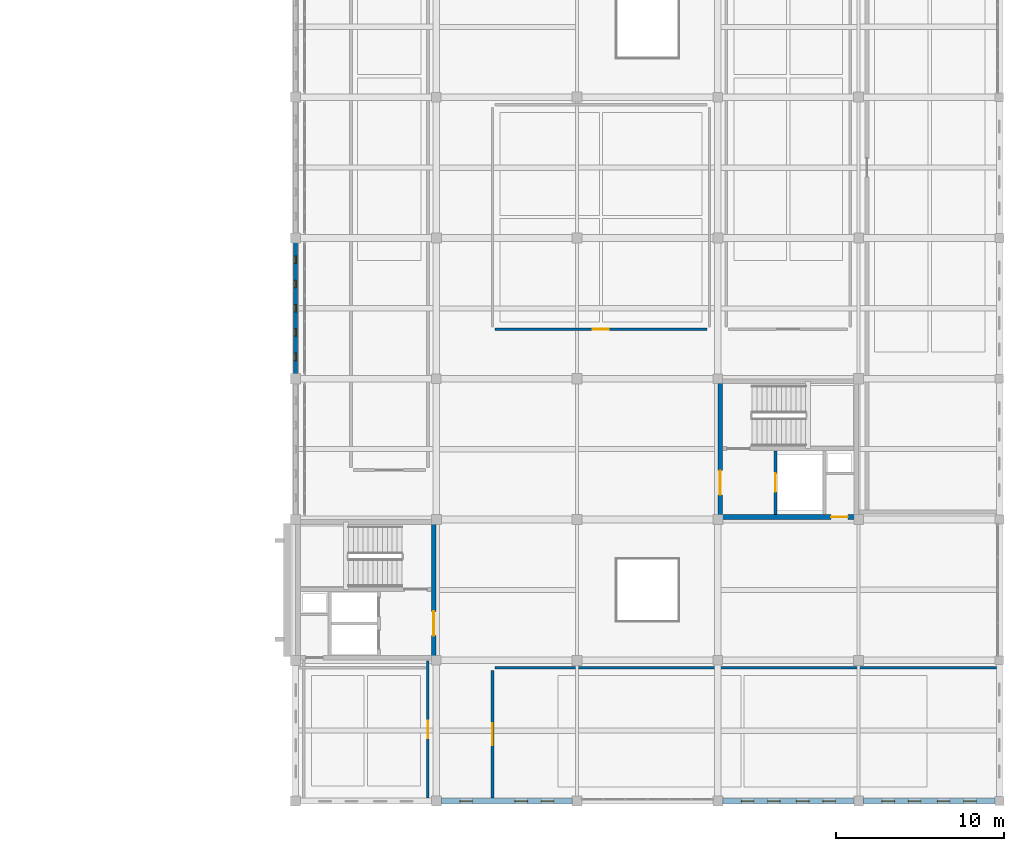
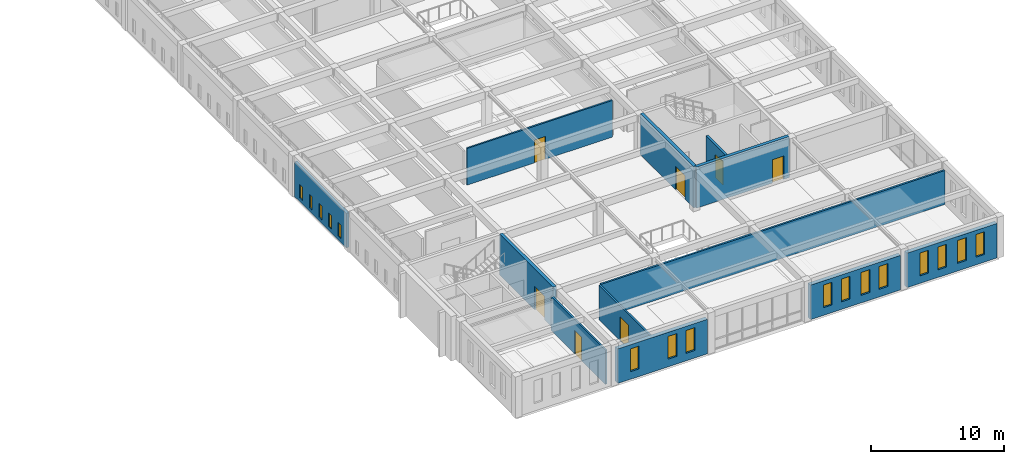
# One storey, part 43 of 56: 16 windows, 12 walls, 7 doors, 23 openings.
"""IFC4 building model written with IfcOpenShell, lengths in metres."""

from ifc_helpers import new_model, si_unit, direction, frame, frame_2d, origin, place, context, subcontext, project, spatial, rectangle, extrude, material, layer, layer_set, type_object, element, fill, save


model = new_model("IFC4")

# Units and contexts
model_context = context("Model", 3, precision=1e-05, world=origin(), true_north=direction((0.0, 1.0)))
body_context = subcontext(model_context, "Body", "Model", "MODEL_VIEW")
ifc_project = project(units=[si_unit("LENGTHUNIT", "METRE"), si_unit("AREAUNIT", "SQUARE_METRE"), si_unit("VOLUMEUNIT", "CUBIC_METRE"), si_unit("PLANEANGLEUNIT", "RADIAN"), si_unit("MASSUNIT", "GRAM", prefix="KILO")], contexts=[model_context])

# Site, building, storey
site_placement = place(None, origin())
site = spatial("IfcSite", under=ifc_project, at=site_placement, CompositionType="ELEMENT")
building_placement = place(site_placement, origin())
building = spatial("IfcBuilding", under=site, at=building_placement, Name="Kveldsbrygga Polytechnic", CompositionType="ELEMENT")
storey_placement = place(building_placement, frame((0.0, 0.0, 18.02001953125)))
storey = spatial("IfcBuildingStorey", under=building, at=storey_placement, Name="L04", CompositionType="ELEMENT", Elevation=18.02001953125)

# Wall, openings, windows
ifc_material_1 = material(Name="Fired clay brick masonry M10", Category="masonry")
ifc_layer_1 = layer(ifc_material_1, 0.360107421875)
ifc_layer_set_1 = layer_set([ifc_layer_1], Name="Fired clay brick masonry M10")
wall_type_1 = type_object("IfcWallType", Name="EW-BRICK-360", PredefinedType="SOLIDWALL", material=ifc_layer_set_1)
wall_1_placement = place(storey_placement, frame((134.68505859375, 16.800048828125, 0.0), z_axis=(0.0, 0.0, 1.0), x_axis=(1.0, 0.0, 0.0)))
wall_1 = element("IfcWall", 1, at=wall_1_placement, inside=storey, type_object=wall_type_1, Name="Exterior Brick Wall EW-L04-X-16-02", PredefinedType="SOLIDWALL", context=body_context, shape_type="SweptSolid", body=[
    extrude(rectangle(XDim=7.83984375, YDim=0.360107421875, at=frame_2d((3.919921875, 0.0))), origin(), (0.0, 0.0, 1.0), 3.179931640625),
])
opening_1_placement = place(wall_1_placement, frame((1.114501953125, 0.0, 0.699951171875)))
opening_1 = element("IfcOpeningElement", 2, at=opening_1_placement, cuts=wall_1, Name="Opening W-27", PredefinedType="OPENING", context=body_context, shape_type="SweptSolid", body=[
    extrude(rectangle(XDim=0.75, YDim=2.10009765625, at=frame_2d((0.375, 1.050048828125))), frame((0.0, 0.18994140625, 0.0), z_axis=(0.0, -1.0, 0.0), x_axis=(1.0, 0.0, 0.0)), (0.0, 0.0, 1.0), 0.380126953125),
])
opening_2_placement = place(wall_1_placement, frame((4.407470703125, 0.0, 0.699951171875)))
opening_2 = element("IfcOpeningElement", 3, at=opening_2_placement, cuts=wall_1, Name="Opening W-27", PredefinedType="OPENING", context=body_context, shape_type="SweptSolid", body=[
    extrude(rectangle(XDim=0.75, YDim=2.10009765625, at=frame_2d((0.375, 1.050048828125))), frame((0.0, 0.18994140625, 0.0), z_axis=(0.0, -1.0, 0.0), x_axis=(1.0, 0.0, 0.0)), (0.0, 0.0, 1.0), 0.380126953125),
])
opening_3_placement = place(wall_1_placement, frame((5.975341796875, 0.0, 0.699951171875)))
opening_3 = element("IfcOpeningElement", 4, at=opening_3_placement, cuts=wall_1, Name="Opening W-27", PredefinedType="OPENING", context=body_context, shape_type="SweptSolid", body=[
    extrude(rectangle(XDim=0.75, YDim=2.10009765625, at=frame_2d((0.375, 1.050048828125))), frame((0.0, 0.18994140625, 0.0), z_axis=(0.0, -1.0, 0.0), x_axis=(1.0, 0.0, 0.0)), (0.0, 0.0, 1.0), 0.380126953125),
])
ifc_material_2 = material(Name="Insulated triple low-E glass", Category="glass")
window_type_1 = type_object("IfcWindowType", Name="WN-ATTIC-075x210", PartitioningType="DOUBLE_PANEL_VERTICAL", PredefinedType="WINDOW", material=ifc_material_2)
window_1_placement = place(opening_1_placement, origin())
window_1 = element("IfcWindow", 5, at=window_1_placement, inside=storey, type_object=window_type_1, Name="Gothic Lancet Window WIN-L04-X-16-02-1", OverallHeight=2.10009765625, OverallWidth=0.75, PartitioningType="DOUBLE_PANEL_VERTICAL", PredefinedType="WINDOW", context=body_context, shape_type="SweptSolid", body=[
    extrude(rectangle(XDim=0.75, YDim=2.10009765625, at=frame_2d((0.375, 1.050048828125))), frame((0.0, 0.030029296875, 0.0), z_axis=(0.0, -1.0, 0.0), x_axis=(1.0, 0.0, 0.0)), (0.0, 0.0, 1.0), 0.06005859375),
])
fill(opening_1, window_1)
window_2_placement = place(opening_2_placement, origin())
window_2 = element("IfcWindow", 6, at=window_2_placement, inside=storey, type_object=window_type_1, Name="Gothic Lancet Window WIN-L04-X-16-02-3", OverallHeight=2.10009765625, OverallWidth=0.75, PartitioningType="DOUBLE_PANEL_VERTICAL", PredefinedType="WINDOW", context=body_context, shape_type="SweptSolid", body=[
    extrude(rectangle(XDim=0.75, YDim=2.10009765625, at=frame_2d((0.375, 1.050048828125))), frame((0.0, 0.030029296875, 0.0), z_axis=(0.0, -1.0, 0.0), x_axis=(1.0, 0.0, 0.0)), (0.0, 0.0, 1.0), 0.06005859375),
])
fill(opening_2, window_2)
window_3_placement = place(opening_3_placement, origin())
window_3 = element("IfcWindow", 7, at=window_3_placement, inside=storey, type_object=window_type_1, Name="Gothic Lancet Window WIN-L04-X-16-02-4", OverallHeight=2.10009765625, OverallWidth=0.75, PartitioningType="DOUBLE_PANEL_VERTICAL", PredefinedType="WINDOW", context=body_context, shape_type="SweptSolid", body=[
    extrude(rectangle(XDim=0.75, YDim=2.10009765625, at=frame_2d((0.375, 1.050048828125))), frame((0.0, 0.030029296875, 0.0), z_axis=(0.0, -1.0, 0.0), x_axis=(1.0, 0.0, 0.0)), (0.0, 0.0, 1.0), 0.06005859375),
])
fill(opening_3, window_3)

wall_2_placement = place(storey_placement, frame((151.485107421875, 16.800048828125, 0.0), z_axis=(0.0, 0.0, 1.0), x_axis=(1.0, 0.0, 0.0)))
wall_2 = element("IfcWall", 8, at=wall_2_placement, inside=storey, type_object=wall_type_1, Name="Exterior Brick Wall EW-L04-X-18-02", PredefinedType="SOLIDWALL", context=body_context, shape_type="SweptSolid", body=[
    extrude(rectangle(XDim=7.83984375, YDim=0.360107421875, at=frame_2d((3.919921875, 0.0))), origin(), (0.0, 0.0, 1.0), 3.179931640625),
])
opening_4_placement = place(wall_2_placement, frame((1.114501953125, 0.0, 0.699951171875)))
opening_4 = element("IfcOpeningElement", 9, at=opening_4_placement, cuts=wall_2, Name="Opening W-27", PredefinedType="OPENING", context=body_context, shape_type="SweptSolid", body=[
    extrude(rectangle(XDim=0.75, YDim=2.10009765625, at=frame_2d((0.375, 1.050048828125))), frame((0.0, 0.18994140625, 0.0), z_axis=(0.0, -1.0, 0.0), x_axis=(1.0, 0.0, 0.0)), (0.0, 0.0, 1.0), 0.380126953125),
])
opening_5_placement = place(wall_2_placement, frame((2.6826171875, 0.0, 0.699951171875)))
opening_5 = element("IfcOpeningElement", 10, at=opening_5_placement, cuts=wall_2, Name="Opening W-27", PredefinedType="OPENING", context=body_context, shape_type="SweptSolid", body=[
    extrude(rectangle(XDim=0.75, YDim=2.10009765625, at=frame_2d((0.375, 1.050048828125))), frame((0.0, 0.18994140625, 0.0), z_axis=(0.0, -1.0, 0.0), x_axis=(1.0, 0.0, 0.0)), (0.0, 0.0, 1.0), 0.380126953125),
])
opening_6_placement = place(wall_2_placement, frame((4.407470703125, 0.0, 0.699951171875)))
opening_6 = element("IfcOpeningElement", 11, at=opening_6_placement, cuts=wall_2, Name="Opening W-27", PredefinedType="OPENING", context=body_context, shape_type="SweptSolid", body=[
    extrude(rectangle(XDim=0.75, YDim=2.10009765625, at=frame_2d((0.375, 1.050048828125))), frame((0.0, 0.18994140625, 0.0), z_axis=(0.0, -1.0, 0.0), x_axis=(1.0, 0.0, 0.0)), (0.0, 0.0, 1.0), 0.380126953125),
])
opening_7_placement = place(wall_2_placement, frame((5.975341796875, 0.0, 0.699951171875)))
opening_7 = element("IfcOpeningElement", 12, at=opening_7_placement, cuts=wall_2, Name="Opening W-27", PredefinedType="OPENING", context=body_context, shape_type="SweptSolid", body=[
    extrude(rectangle(XDim=0.75, YDim=2.10009765625, at=frame_2d((0.375, 1.050048828125))), frame((0.0, 0.18994140625, 0.0), z_axis=(0.0, -1.0, 0.0), x_axis=(1.0, 0.0, 0.0)), (0.0, 0.0, 1.0), 0.380126953125),
])
window_4_placement = place(opening_4_placement, origin())
window_4 = element("IfcWindow", 13, at=window_4_placement, inside=storey, type_object=window_type_1, Name="Gothic Lancet Window WIN-L04-X-18-02-1", OverallHeight=2.10009765625, OverallWidth=0.75, PartitioningType="DOUBLE_PANEL_VERTICAL", PredefinedType="WINDOW", context=body_context, shape_type="SweptSolid", body=[
    extrude(rectangle(XDim=0.75, YDim=2.10009765625, at=frame_2d((0.375, 1.050048828125))), frame((0.0, 0.030029296875, 0.0), z_axis=(0.0, -1.0, 0.0), x_axis=(1.0, 0.0, 0.0)), (0.0, 0.0, 1.0), 0.06005859375),
])
fill(opening_4, window_4)
window_5_placement = place(opening_5_placement, origin())
window_5 = element("IfcWindow", 14, at=window_5_placement, inside=storey, type_object=window_type_1, Name="Gothic Lancet Window WIN-L04-X-18-02-2", OverallHeight=2.10009765625, OverallWidth=0.75, PartitioningType="DOUBLE_PANEL_VERTICAL", PredefinedType="WINDOW", context=body_context, shape_type="SweptSolid", body=[
    extrude(rectangle(XDim=0.75, YDim=2.10009765625, at=frame_2d((0.375, 1.050048828125))), frame((0.0, 0.030029296875, 0.0), z_axis=(0.0, -1.0, 0.0), x_axis=(1.0, 0.0, 0.0)), (0.0, 0.0, 1.0), 0.06005859375),
])
fill(opening_5, window_5)
window_6_placement = place(opening_6_placement, origin())
window_6 = element("IfcWindow", 15, at=window_6_placement, inside=storey, type_object=window_type_1, Name="Gothic Lancet Window WIN-L04-X-18-02-3", OverallHeight=2.10009765625, OverallWidth=0.75, PartitioningType="DOUBLE_PANEL_VERTICAL", PredefinedType="WINDOW", context=body_context, shape_type="SweptSolid", body=[
    extrude(rectangle(XDim=0.75, YDim=2.10009765625, at=frame_2d((0.375, 1.050048828125))), frame((0.0, 0.030029296875, 0.0), z_axis=(0.0, -1.0, 0.0), x_axis=(1.0, 0.0, 0.0)), (0.0, 0.0, 1.0), 0.06005859375),
])
fill(opening_6, window_6)
window_7_placement = place(opening_7_placement, origin())
window_7 = element("IfcWindow", 16, at=window_7_placement, inside=storey, type_object=window_type_1, Name="Gothic Lancet Window WIN-L04-X-18-02-4", OverallHeight=2.10009765625, OverallWidth=0.75, PartitioningType="DOUBLE_PANEL_VERTICAL", PredefinedType="WINDOW", context=body_context, shape_type="SweptSolid", body=[
    extrude(rectangle(XDim=0.75, YDim=2.10009765625, at=frame_2d((0.375, 1.050048828125))), frame((0.0, 0.030029296875, 0.0), z_axis=(0.0, -1.0, 0.0), x_axis=(1.0, 0.0, 0.0)), (0.0, 0.0, 1.0), 0.06005859375),
])
fill(opening_7, window_7)

wall_3_placement = place(storey_placement, frame((159.875, 16.800048828125, 0.0), z_axis=(0.0, 0.0, 1.0), x_axis=(1.0, 0.0, 0.0)))
wall_3 = element("IfcWall", 17, at=wall_3_placement, inside=storey, type_object=wall_type_1, Name="Exterior Brick Wall EW-L04-X-19-02", PredefinedType="SOLIDWALL", context=body_context, shape_type="SweptSolid", body=[
    extrude(rectangle(XDim=7.864990234375, YDim=0.360107421875, at=frame_2d((3.9326171875, 0.0))), origin(), (0.0, 0.0, 1.0), 3.179931640625),
])
opening_8_placement = place(wall_3_placement, frame((1.119384765625, 0.0, 0.699951171875)))
opening_8 = element("IfcOpeningElement", 18, at=opening_8_placement, cuts=wall_3, Name="Opening W-27", PredefinedType="OPENING", context=body_context, shape_type="SweptSolid", body=[
    extrude(rectangle(XDim=0.75, YDim=2.10009765625, at=frame_2d((0.375, 1.050048828125))), frame((0.0, 0.18994140625, 0.0), z_axis=(0.0, -1.0, 0.0), x_axis=(1.0, 0.0, 0.0)), (0.0, 0.0, 1.0), 0.380126953125),
])
opening_9_placement = place(wall_3_placement, frame((2.6923828125, 0.0, 0.699951171875)))
opening_9 = element("IfcOpeningElement", 19, at=opening_9_placement, cuts=wall_3, Name="Opening W-27", PredefinedType="OPENING", context=body_context, shape_type="SweptSolid", body=[
    extrude(rectangle(XDim=0.75, YDim=2.10009765625, at=frame_2d((0.375, 1.050048828125))), frame((0.0, 0.18994140625, 0.0), z_axis=(0.0, -1.0, 0.0), x_axis=(1.0, 0.0, 0.0)), (0.0, 0.0, 1.0), 0.380126953125),
])
opening_10_placement = place(wall_3_placement, frame((4.422607421875, 0.0, 0.699951171875)))
opening_10 = element("IfcOpeningElement", 20, at=opening_10_placement, cuts=wall_3, Name="Opening W-27", PredefinedType="OPENING", context=body_context, shape_type="SweptSolid", body=[
    extrude(rectangle(XDim=0.75, YDim=2.10009765625, at=frame_2d((0.375, 1.050048828125))), frame((0.0, 0.18994140625, 0.0), z_axis=(0.0, -1.0, 0.0), x_axis=(1.0, 0.0, 0.0)), (0.0, 0.0, 1.0), 0.380126953125),
])
opening_11_placement = place(wall_3_placement, frame((5.99560546875, 0.0, 0.699951171875)))
opening_11 = element("IfcOpeningElement", 21, at=opening_11_placement, cuts=wall_3, Name="Opening W-27", PredefinedType="OPENING", context=body_context, shape_type="SweptSolid", body=[
    extrude(rectangle(XDim=0.75, YDim=2.10009765625, at=frame_2d((0.375, 1.050048828125))), frame((0.0, 0.18994140625, 0.0), z_axis=(0.0, -1.0, 0.0), x_axis=(1.0, 0.0, 0.0)), (0.0, 0.0, 1.0), 0.380126953125),
])
window_8_placement = place(opening_8_placement, origin())
window_8 = element("IfcWindow", 22, at=window_8_placement, inside=storey, type_object=window_type_1, Name="Gothic Lancet Window WIN-L04-X-19-02-1", OverallHeight=2.10009765625, OverallWidth=0.75, PartitioningType="DOUBLE_PANEL_VERTICAL", PredefinedType="WINDOW", context=body_context, shape_type="SweptSolid", body=[
    extrude(rectangle(XDim=0.75, YDim=2.10009765625, at=frame_2d((0.375, 1.050048828125))), frame((0.0, 0.030029296875, 0.0), z_axis=(0.0, -1.0, 0.0), x_axis=(1.0, 0.0, 0.0)), (0.0, 0.0, 1.0), 0.06005859375),
])
fill(opening_8, window_8)
window_9_placement = place(opening_9_placement, origin())
window_9 = element("IfcWindow", 23, at=window_9_placement, inside=storey, type_object=window_type_1, Name="Gothic Lancet Window WIN-L04-X-19-02-2", OverallHeight=2.10009765625, OverallWidth=0.75, PartitioningType="DOUBLE_PANEL_VERTICAL", PredefinedType="WINDOW", context=body_context, shape_type="SweptSolid", body=[
    extrude(rectangle(XDim=0.75, YDim=2.10009765625, at=frame_2d((0.375, 1.050048828125))), frame((0.0, 0.030029296875, 0.0), z_axis=(0.0, -1.0, 0.0), x_axis=(1.0, 0.0, 0.0)), (0.0, 0.0, 1.0), 0.06005859375),
])
fill(opening_9, window_9)
window_10_placement = place(opening_10_placement, origin())
window_10 = element("IfcWindow", 24, at=window_10_placement, inside=storey, type_object=window_type_1, Name="Gothic Lancet Window WIN-L04-X-19-02-3", OverallHeight=2.10009765625, OverallWidth=0.75, PartitioningType="DOUBLE_PANEL_VERTICAL", PredefinedType="WINDOW", context=body_context, shape_type="SweptSolid", body=[
    extrude(rectangle(XDim=0.75, YDim=2.10009765625, at=frame_2d((0.375, 1.050048828125))), frame((0.0, 0.030029296875, 0.0), z_axis=(0.0, -1.0, 0.0), x_axis=(1.0, 0.0, 0.0)), (0.0, 0.0, 1.0), 0.06005859375),
])
fill(opening_10, window_10)
window_11_placement = place(opening_11_placement, origin())
window_11 = element("IfcWindow", 25, at=window_11_placement, inside=storey, type_object=window_type_1, Name="Gothic Lancet Window WIN-L04-X-19-02-4", OverallHeight=2.10009765625, OverallWidth=0.75, PartitioningType="DOUBLE_PANEL_VERTICAL", PredefinedType="WINDOW", context=body_context, shape_type="SweptSolid", body=[
    extrude(rectangle(XDim=0.75, YDim=2.10009765625, at=frame_2d((0.375, 1.050048828125))), frame((0.0, 0.030029296875, 0.0), z_axis=(0.0, -1.0, 0.0), x_axis=(1.0, 0.0, 0.0)), (0.0, 0.0, 1.0), 0.06005859375),
])
fill(opening_11, window_11)

ifc_layer_2 = layer(ifc_material_1, 0.239990234375)
ifc_layer_set_2 = layer_set([ifc_layer_2], Name="Fired clay brick masonry M10")
wall_type_2 = type_object("IfcWallType", Name="EW-SCRN-240", PredefinedType="SOLIDWALL", material=ifc_layer_set_2)
wall_4_placement = place(storey_placement, frame((126.0, 42.284912109375, 0.0), z_axis=(0.0, 0.0, 1.0), x_axis=(0.0, 1.0, 0.0)))
wall_4 = element("IfcWall", 26, at=wall_4_placement, inside=storey, type_object=wall_type_2, Name="Perforated Brick Corridor Screen Wall SCRW-L04-Y-15-05", PredefinedType="SOLIDWALL", context=body_context, shape_type="SweptSolid", body=[
    extrude(rectangle(XDim=7.840087890625, YDim=0.239990234375, at=frame_2d((3.919921875, 0.0))), origin(), (0.0, 0.0, 1.0), 3.179931640625),
])
opening_12_placement = place(wall_4_placement, frame((0.803955078125, 0.0, 0.35009765625)))
opening_12 = element("IfcOpeningElement", 27, at=opening_12_placement, cuts=wall_4, Name="Opening W-48", PredefinedType="OPENING", context=body_context, shape_type="SweptSolid", body=[
    extrude(rectangle(XDim=0.43994140625, YDim=1.25, at=frame_2d((0.219970703125, 0.625))), frame((0.0, 0.1298828125, 0.0), z_axis=(0.0, -1.0, 0.0), x_axis=(1.0, 0.0, 0.0)), (0.0, 0.0, 1.0), 0.260009765625),
])
opening_13_placement = place(wall_4_placement, frame((2.251953125, 0.0, 0.35009765625)))
opening_13 = element("IfcOpeningElement", 28, at=opening_13_placement, cuts=wall_4, Name="Opening W-48", PredefinedType="OPENING", context=body_context, shape_type="SweptSolid", body=[
    extrude(rectangle(XDim=0.43994140625, YDim=1.25, at=frame_2d((0.219970703125, 0.625))), frame((0.0, 0.1298828125, 0.0), z_axis=(0.0, -1.0, 0.0), x_axis=(1.0, 0.0, 0.0)), (0.0, 0.0, 1.0), 0.260009765625),
])
opening_14_placement = place(wall_4_placement, frame((3.699951171875, 0.0, 0.35009765625)))
opening_14 = element("IfcOpeningElement", 29, at=opening_14_placement, cuts=wall_4, Name="Opening W-48", PredefinedType="OPENING", context=body_context, shape_type="SweptSolid", body=[
    extrude(rectangle(XDim=0.43994140625, YDim=1.25, at=frame_2d((0.219970703125, 0.625))), frame((0.0, 0.1298828125, 0.0), z_axis=(0.0, -1.0, 0.0), x_axis=(1.0, 0.0, 0.0)), (0.0, 0.0, 1.0), 0.260009765625),
])
opening_15_placement = place(wall_4_placement, frame((5.14794921875, 0.0, 0.35009765625)))
opening_15 = element("IfcOpeningElement", 30, at=opening_15_placement, cuts=wall_4, Name="Opening W-48", PredefinedType="OPENING", context=body_context, shape_type="SweptSolid", body=[
    extrude(rectangle(XDim=0.43994140625, YDim=1.25, at=frame_2d((0.219970703125, 0.625))), frame((0.0, 0.1298828125, 0.0), z_axis=(0.0, -1.0, 0.0), x_axis=(1.0, 0.0, 0.0)), (0.0, 0.0, 1.0), 0.260009765625),
])
opening_16_placement = place(wall_4_placement, frame((6.595947265625, 0.0, 0.35009765625)))
opening_16 = element("IfcOpeningElement", 31, at=opening_16_placement, cuts=wall_4, Name="Opening W-48", PredefinedType="OPENING", context=body_context, shape_type="SweptSolid", body=[
    extrude(rectangle(XDim=0.43994140625, YDim=1.25, at=frame_2d((0.219970703125, 0.625))), frame((0.0, 0.1298828125, 0.0), z_axis=(0.0, -1.0, 0.0), x_axis=(1.0, 0.0, 0.0)), (0.0, 0.0, 1.0), 0.260009765625),
])
window_type_2 = type_object("IfcWindowType", Name="WN-SCRN-044x125", PartitioningType="SINGLE_PANEL", PredefinedType="WINDOW", material=ifc_material_2)
window_12_placement = place(opening_12_placement, origin())
window_12 = element("IfcWindow", 32, at=window_12_placement, inside=storey, type_object=window_type_2, Name="Perforated Screen Aperture L04-Y-15-05-1", OverallHeight=1.25, OverallWidth=0.43994140625, PartitioningType="SINGLE_PANEL", PredefinedType="WINDOW", context=body_context, shape_type="SweptSolid", body=[
    extrude(rectangle(XDim=0.43994140625, YDim=1.25, at=frame_2d((0.219970703125, 0.625))), frame((0.0, 0.030029296875, 0.0), z_axis=(0.0, -1.0, 0.0), x_axis=(1.0, 0.0, 0.0)), (0.0, 0.0, 1.0), 0.06005859375),
])
fill(opening_12, window_12)
window_13_placement = place(opening_13_placement, origin())
window_13 = element("IfcWindow", 33, at=window_13_placement, inside=storey, type_object=window_type_2, Name="Perforated Screen Aperture L04-Y-15-05-2", OverallHeight=1.25, OverallWidth=0.43994140625, PartitioningType="SINGLE_PANEL", PredefinedType="WINDOW", context=body_context, shape_type="SweptSolid", body=[
    extrude(rectangle(XDim=0.43994140625, YDim=1.25, at=frame_2d((0.219970703125, 0.625))), frame((0.0, 0.030029296875, 0.0), z_axis=(0.0, -1.0, 0.0), x_axis=(1.0, 0.0, 0.0)), (0.0, 0.0, 1.0), 0.06005859375),
])
fill(opening_13, window_13)
window_14_placement = place(opening_14_placement, origin())
window_14 = element("IfcWindow", 34, at=window_14_placement, inside=storey, type_object=window_type_2, Name="Perforated Screen Aperture L04-Y-15-05-3", OverallHeight=1.25, OverallWidth=0.43994140625, PartitioningType="SINGLE_PANEL", PredefinedType="WINDOW", context=body_context, shape_type="SweptSolid", body=[
    extrude(rectangle(XDim=0.43994140625, YDim=1.25, at=frame_2d((0.219970703125, 0.625))), frame((0.0, 0.030029296875, 0.0), z_axis=(0.0, -1.0, 0.0), x_axis=(1.0, 0.0, 0.0)), (0.0, 0.0, 1.0), 0.06005859375),
])
fill(opening_14, window_14)
window_15_placement = place(opening_15_placement, origin())
window_15 = element("IfcWindow", 35, at=window_15_placement, inside=storey, type_object=window_type_2, Name="Perforated Screen Aperture L04-Y-15-05-4", OverallHeight=1.25, OverallWidth=0.43994140625, PartitioningType="SINGLE_PANEL", PredefinedType="WINDOW", context=body_context, shape_type="SweptSolid", body=[
    extrude(rectangle(XDim=0.43994140625, YDim=1.25, at=frame_2d((0.219970703125, 0.625))), frame((0.0, 0.030029296875, 0.0), z_axis=(0.0, -1.0, 0.0), x_axis=(1.0, 0.0, 0.0)), (0.0, 0.0, 1.0), 0.06005859375),
])
fill(opening_15, window_15)
window_16_placement = place(opening_16_placement, origin())
window_16 = element("IfcWindow", 36, at=window_16_placement, inside=storey, type_object=window_type_2, Name="Perforated Screen Aperture L04-Y-15-05-5", OverallHeight=1.25, OverallWidth=0.43994140625, PartitioningType="SINGLE_PANEL", PredefinedType="WINDOW", context=body_context, shape_type="SweptSolid", body=[
    extrude(rectangle(XDim=0.43994140625, YDim=1.25, at=frame_2d((0.219970703125, 0.625))), frame((0.0, 0.030029296875, 0.0), z_axis=(0.0, -1.0, 0.0), x_axis=(1.0, 0.0, 0.0)), (0.0, 0.0, 1.0), 0.06005859375),
])
fill(opening_16, window_16)

# Wall, opening, door
ifc_material_3 = material(Name="Gypsum acoustic stud partition")
ifc_layer_3 = layer(ifc_material_3, 0.139892578125)
ifc_layer_set_3 = layer_set([ifc_layer_3], Name="Gypsum acoustic stud partition")
wall_type_3 = type_object("IfcWallType", Name="IW-OFF-140", PredefinedType="PARTITIONING", material=ifc_layer_set_3)
wall_5_placement = place(storey_placement, frame((137.89990234375, 44.949951171875, 0.0), z_axis=(0.0, 0.0, 1.0), x_axis=(1.0, 0.0, 0.0)))
wall_5 = element("IfcWall", 37, at=wall_5_placement, inside=storey, type_object=wall_type_3, Name="Partition Wall IW-SP-L04-OFF41-S1", PredefinedType="PARTITIONING", context=body_context, shape_type="SweptSolid", body=[
    extrude(rectangle(XDim=12.650146484375, YDim=0.139892578125, at=frame_2d((6.3251953125, 0.0))), origin(), (0.0, 0.0, 1.0), 3.3798828125),
])
opening_17_placement = place(wall_5_placement, frame((5.85009765625, 0.0, 0.0)))
opening_17 = element("IfcOpeningElement", 38, at=opening_17_placement, cuts=wall_5, Name="Opening ID-L04-088", PredefinedType="OPENING", context=body_context, shape_type="SweptSolid", body=[
    extrude(rectangle(XDim=0.949951171875, YDim=2.10009765625, at=frame_2d((0.47509765625, 1.050048828125))), frame((0.0, 0.080078125, 0.0), z_axis=(0.0, -1.0, 0.0), x_axis=(1.0, 0.0, 0.0)), (0.0, 0.0, 1.0), 0.159912109375),
])
ifc_material_4 = material(Name="Acoustic oak timber", Category="wood")
door_type_1 = type_object("IfcDoorType", Name="ID-OFF-095x210", OperationType="NOTDEFINED", PredefinedType="DOOR", material=ifc_material_4)
door_1_placement = place(opening_17_placement, origin())
door_1 = element("IfcDoor", 39, at=door_1_placement, inside=storey, type_object=door_type_1, Name="Interior Door ID-L04-088", OperationType="SINGLE_SWING_LEFT", OverallHeight=2.10009765625, OverallWidth=0.949951171875, PredefinedType="DOOR", context=body_context, shape_type="SweptSolid", body=[
    extrude(rectangle(XDim=0.949951171875, YDim=2.10009765625, at=frame_2d((0.47509765625, 1.050048828125))), frame((0.0, 0.02490234375, 0.0), z_axis=(0.0, -1.0, 0.0), x_axis=(1.0, 0.0, 0.0)), (0.0, 0.0, 1.0), 0.050048828125),
])
fill(opening_17, door_1)

ifc_layer_4 = layer(ifc_material_3, 0.14990234375)
ifc_layer_set_4 = layer_set([ifc_layer_4], Name="Gypsum acoustic stud partition")
wall_type_4 = type_object("IfcWallType", Name="IW-SEM-150", PredefinedType="PARTITIONING", material=ifc_layer_set_4)
wall_6_placement = place(storey_placement, frame((133.89990234375, 16.97998046875, 0.0), z_axis=(0.0, 0.0, 1.0), x_axis=(0.0, 1.0, 0.0)))
wall_6 = element("IfcWall", 40, at=wall_6_placement, inside=storey, type_object=wall_type_4, Name="Partition Wall IW-SP-L04-SEM42-E1", PredefinedType="PARTITIONING", context=body_context, shape_type="SweptSolid", body=[
    extrude(rectangle(XDim=8.18994140625, YDim=0.14990234375, at=frame_2d((4.094970703125, 0.0))), origin(), (0.0, 0.0, 1.0), 3.159912109375),
])
opening_18_placement = place(wall_6_placement, frame((3.570068359375, 0.0, 0.0)))
opening_18 = element("IfcOpeningElement", 41, at=opening_18_placement, cuts=wall_6, Name="Opening ID-L04-092", PredefinedType="OPENING", context=body_context, shape_type="SweptSolid", body=[
    extrude(rectangle(XDim=1.050048828125, YDim=2.14990234375, at=frame_2d((0.52490234375, 1.074951171875))), frame((0.0, 0.0849609375, 0.0), z_axis=(0.0, -1.0, 0.0), x_axis=(1.0, 0.0, 0.0)), (0.0, 0.0, 1.0), 0.169921875),
])
door_type_2 = type_object("IfcDoorType", Name="ID-SEM-105x215", OperationType="NOTDEFINED", PredefinedType="DOOR", material=ifc_material_4)
door_2_placement = place(opening_18_placement, origin())
door_2 = element("IfcDoor", 42, at=door_2_placement, inside=storey, type_object=door_type_2, Name="Interior Door ID-L04-092", OperationType="SINGLE_SWING_RIGHT", OverallHeight=2.14990234375, OverallWidth=1.050048828125, PredefinedType="DOOR", context=body_context, shape_type="SweptSolid", body=[
    extrude(rectangle(XDim=1.050048828125, YDim=2.14990234375, at=frame_2d((0.52490234375, 1.074951171875))), frame((0.0, 0.02490234375, 0.0), z_axis=(0.0, -1.0, 0.0), x_axis=(1.0, 0.0, 0.0)), (0.0, 0.0, 1.0), 0.050048828125),
])
fill(opening_18, door_2)

ifc_layer_5 = layer(ifc_material_3, 0.159912109375)
ifc_layer_set_5 = layer_set([ifc_layer_5], Name="Gypsum acoustic stud partition")
wall_type_5 = type_object("IfcWallType", Name="IW-STD-160", PredefinedType="PARTITIONING", material=ifc_layer_set_5)
wall_7_placement = place(storey_placement, frame((137.75, 16.97998046875, 0.0), z_axis=(0.0, 0.0, 1.0), x_axis=(0.0, 1.0, 0.0)))
wall_7 = element("IfcWall", 43, at=wall_7_placement, inside=storey, type_object=wall_type_5, Name="Partition Wall IW-SP-L04-STD41-W1", PredefinedType="PARTITIONING", context=body_context, shape_type="SweptSolid", body=[
    extrude(rectangle(XDim=7.6201171875, YDim=0.159912109375, at=frame_2d((3.81005859375, 0.0))), origin(), (0.0, 0.0, 1.0), 3.179931640625),
])
opening_19_placement = place(wall_7_placement, frame((3.159912109375, 0.0, 0.0)))
opening_19 = element("IfcOpeningElement", 44, at=opening_19_placement, cuts=wall_7, Name="Opening ID-L04-083", PredefinedType="OPENING", context=body_context, shape_type="SweptSolid", body=[
    extrude(rectangle(XDim=1.300048828125, YDim=2.199951171875, at=frame_2d((0.64990234375, 1.10009765625))), frame((0.0, 0.08984375, 0.0), z_axis=(0.0, -1.0, 0.0), x_axis=(1.0, 0.0, 0.0)), (0.0, 0.0, 1.0), 0.179931640625),
])
door_type_3 = type_object("IfcDoorType", Name="ID-STD-130x220", OperationType="NOTDEFINED", PredefinedType="DOOR", material=ifc_material_4)
door_3_placement = place(opening_19_placement, origin())
door_3 = element("IfcDoor", 45, at=door_3_placement, inside=storey, type_object=door_type_3, Name="Interior Door ID-L04-083", OperationType="SINGLE_SWING_LEFT", OverallHeight=2.199951171875, OverallWidth=1.300048828125, PredefinedType="DOOR", context=body_context, shape_type="SweptSolid", body=[
    extrude(rectangle(XDim=1.300048828125, YDim=2.199951171875, at=frame_2d((0.64990234375, 1.10009765625))), frame((0.0, 0.02490234375, 0.0), z_axis=(0.0, -1.0, 0.0), x_axis=(1.0, 0.0, 0.0)), (0.0, 0.0, 1.0), 0.050048828125),
])
fill(opening_19, door_3)

# Wall
wall_8_placement = place(storey_placement, frame((137.89990234375, 24.75, 0.0), z_axis=(0.0, 0.0, 1.0), x_axis=(1.0, 0.0, 0.0)))
element("IfcWall", 46, at=wall_8_placement, inside=storey, type_object=wall_type_5, Name="Partition Wall IW-SP-L04-STD41-N1", PredefinedType="PARTITIONING", context=body_context, shape_type="SweptSolid", body=[
    extrude(rectangle(XDim=29.920166015625, YDim=0.159912109375, at=frame_2d((14.9599609375, 0.0))), origin(), (0.0, 0.0, 1.0), 3.1298828125),
])

# Wall, opening, door
ifc_material_5 = material(Name="Concrete C45/55", Category="concrete")
ifc_layer_6 = layer(ifc_material_5, 0.280029296875)
ifc_layer_set_6 = layer_set([ifc_layer_6], Name="Concrete C45/55")
wall_type_6 = type_object("IfcWallType", Name="WL-CORE-280", PredefinedType="SHEAR", material=ifc_layer_set_6)
wall_9_placement = place(storey_placement, frame((134.25, 25.35009765625, 0.0), z_axis=(0.0, 0.0, 1.0), x_axis=(0.0, 1.0, 0.0)))
wall_9 = element("IfcWall", 47, at=wall_9_placement, inside=storey, type_object=wall_type_6, Name="Core C1 Shear Wall C1-L04-SW-E", PredefinedType="SHEAR", context=body_context, shape_type="SweptSolid", body=[
    extrude(rectangle(XDim=8.099853515625, YDim=0.280029296875, at=frame_2d((4.0498046875, 0.0))), origin(), (0.0, 0.0, 1.0), 3.780029296875),
])
opening_20_placement = place(wall_9_placement, frame((1.324951171875, 0.0, 0.0)))
opening_20 = element("IfcOpeningElement", 48, at=opening_20_placement, cuts=wall_9, Name="Opening FD-C1-L04-LOB", PredefinedType="OPENING", context=body_context, shape_type="SweptSolid", body=[
    extrude(rectangle(XDim=1.449951171875, YDim=2.14990234375, at=frame_2d((0.72509765625, 1.074951171875))), frame((0.0, 0.14990234375, 0.0), z_axis=(0.0, -1.0, 0.0), x_axis=(1.0, 0.0, 0.0)), (0.0, 0.0, 1.0), 0.300048828125),
])
ifc_material_6 = material(Name="Powder-coated galvanised steel", Category="steel")
door_type_4 = type_object("IfcDoorType", Name="ID-LOBBY-145x215", OperationType="DOUBLE_DOOR_SINGLE_SWING", PredefinedType="DOOR", material=ifc_material_6)
door_4_placement = place(opening_20_placement, origin())
door_4 = element("IfcDoor", 49, at=door_4_placement, inside=storey, type_object=door_type_4, Name="Core Lobby Fire Door FD-C1-L04-LOB", OperationType="DOUBLE_DOOR_SINGLE_SWING", OverallHeight=2.14990234375, OverallWidth=1.449951171875, PredefinedType="DOOR", context=body_context, shape_type="SweptSolid", body=[
    extrude(rectangle(XDim=1.449951171875, YDim=2.14990234375, at=frame_2d((0.72509765625, 1.074951171875))), frame((0.0, 0.02490234375, 0.0), z_axis=(0.0, -1.0, 0.0), x_axis=(1.0, 0.0, 0.0)), (0.0, 0.0, 1.0), 0.050048828125),
])
fill(opening_20, door_4)

wall_10_placement = place(storey_placement, frame((151.35009765625, 33.75, 0.0), z_axis=(0.0, 0.0, 1.0), x_axis=(1.0, 0.0, 0.0)))
wall_10 = element("IfcWall", 50, at=wall_10_placement, inside=storey, type_object=wall_type_6, Name="Core C3 Shear Wall C3-L04-SW-S", PredefinedType="SHEAR", context=body_context, shape_type="SweptSolid", body=[
    extrude(rectangle(XDim=8.099853515625, YDim=0.280029296875, at=frame_2d((4.0498046875, 0.0))), origin(), (0.0, 0.0, 1.0), 3.780029296875),
])
opening_21_placement = place(wall_10_placement, frame((6.614990234375, 0.0, 0.0)))
opening_21 = element("IfcOpeningElement", 51, at=opening_21_placement, cuts=wall_10, Name="Opening ID-C3-L04-AWC", PredefinedType="OPENING", context=body_context, shape_type="SweptSolid", body=[
    extrude(rectangle(XDim=1.0, YDim=2.14990234375, at=frame_2d((0.5, 1.074951171875))), frame((0.0, 0.14990234375, 0.0), z_axis=(0.0, -1.0, 0.0), x_axis=(1.0, 0.0, 0.0)), (0.0, 0.0, 1.0), 0.300048828125),
])
door_type_5 = type_object("IfcDoorType", Name="ID-AWC-100x215", OperationType="NOTDEFINED", PredefinedType="DOOR", material=ifc_material_4)
door_5_placement = place(opening_21_placement, origin())
door_5 = element("IfcDoor", 52, at=door_5_placement, inside=storey, type_object=door_type_5, Name="Accessible WC Door ID-C3-L04-AWC", OperationType="SINGLE_SWING_RIGHT", OverallHeight=2.14990234375, OverallWidth=1.0, PredefinedType="DOOR", context=body_context, shape_type="SweptSolid", body=[
    extrude(rectangle(XDim=1.0, YDim=2.14990234375, at=frame_2d((0.5, 1.074951171875))), frame((0.0, 0.02490234375, 0.0), z_axis=(0.0, -1.0, 0.0), x_axis=(1.0, 0.0, 0.0)), (0.0, 0.0, 1.0), 0.050048828125),
])
fill(opening_21, door_5)

wall_11_placement = place(storey_placement, frame((151.35009765625, 33.75, 0.0), z_axis=(0.0, 0.0, 1.0), x_axis=(0.0, 1.0, 0.0)))
wall_11 = element("IfcWall", 53, at=wall_11_placement, inside=storey, type_object=wall_type_6, Name="Core C3 Shear Wall C3-L04-SW-W", PredefinedType="SHEAR", context=body_context, shape_type="SweptSolid", body=[
    extrude(rectangle(XDim=8.10009765625, YDim=0.280029296875, at=frame_2d((4.050048828125, 0.0))), origin(), (0.0, 0.0, 1.0), 3.780029296875),
])
opening_22_placement = place(wall_11_placement, frame((1.324951171875, 0.0, 0.0)))
opening_22 = element("IfcOpeningElement", 54, at=opening_22_placement, cuts=wall_11, Name="Opening FD-C3-L04-LOB", PredefinedType="OPENING", context=body_context, shape_type="SweptSolid", body=[
    extrude(rectangle(XDim=1.449951171875, YDim=2.14990234375, at=frame_2d((0.72509765625, 1.074951171875))), frame((0.0, 0.14990234375, 0.0), z_axis=(0.0, -1.0, 0.0), x_axis=(1.0, 0.0, 0.0)), (0.0, 0.0, 1.0), 0.300048828125),
])
door_6_placement = place(opening_22_placement, origin())
door_6 = element("IfcDoor", 55, at=door_6_placement, inside=storey, type_object=door_type_4, Name="Core Lobby Fire Door FD-C3-L04-LOB", OperationType="DOUBLE_DOOR_SINGLE_SWING", OverallHeight=2.14990234375, OverallWidth=1.449951171875, PredefinedType="DOOR", context=body_context, shape_type="SweptSolid", body=[
    extrude(rectangle(XDim=1.449951171875, YDim=2.14990234375, at=frame_2d((0.72509765625, 1.074951171875))), frame((0.0, 0.02490234375, 0.0), z_axis=(0.0, -1.0, 0.0), x_axis=(1.0, 0.0, 0.0)), (0.0, 0.0, 1.0), 0.050048828125),
])
fill(opening_22, door_6)

ifc_material_7 = material(Name="Concrete C35/45", Category="concrete")
ifc_layer_7 = layer(ifc_material_7, 0.199951171875)
ifc_layer_set_7 = layer_set([ifc_layer_7], Name="Concrete C35/45")
wall_type_7 = type_object("IfcWallType", Name="WL-SHFT-200", PredefinedType="SHEAR", material=ifc_layer_set_7)
wall_12_placement = place(storey_placement, frame((154.639892578125, 33.89990234375, 0.0), z_axis=(0.0, 0.0, 1.0), x_axis=(0.0, 1.0, 0.0)))
wall_12 = element("IfcWall", 56, at=wall_12_placement, inside=storey, type_object=wall_type_7, Name="Lift Front Wall C3-L04-W-LFR", PredefinedType="SHEAR", context=body_context, shape_type="SweptSolid", body=[
    extrude(rectangle(XDim=3.800048828125, YDim=0.199951171875, at=frame_2d((1.89990234375, 0.0))), origin(), (0.0, 0.0, 1.0), 3.080078125),
])
opening_23_placement = place(wall_12_placement, frame((1.35009765625, 0.0, 0.0)))
opening_23 = element("IfcOpeningElement", 57, at=opening_23_placement, cuts=wall_12, Name="Opening LD-LP-3", PredefinedType="OPENING", context=body_context, shape_type="SweptSolid", body=[
    extrude(rectangle(XDim=1.10009765625, YDim=2.14990234375, at=frame_2d((0.550048828125, 1.074951171875))), frame((0.0, 0.10986328125, 0.0), z_axis=(0.0, -1.0, 0.0), x_axis=(1.0, 0.0, 0.0)), (0.0, 0.0, 1.0), 0.219970703125),
])
ifc_material_8 = material(Name="Brushed stainless steel EN 1.4401", Category="steel")
door_type_6 = type_object("IfcDoorType", Name="LD-PAX-110x215", OperationType="SLIDING_TO_LEFT", PredefinedType="DOOR", material=ifc_material_8)
door_7_placement = place(opening_23_placement, origin())
door_7 = element("IfcDoor", 58, at=door_7_placement, inside=storey, type_object=door_type_6, Name="Lift Landing Sliding Door LD-LP-3-L04", OperationType="SLIDING_TO_LEFT", OverallHeight=2.14990234375, OverallWidth=1.10009765625, PredefinedType="DOOR", context=body_context, shape_type="SweptSolid", body=[
    extrude(rectangle(XDim=1.10009765625, YDim=2.14990234375, at=frame_2d((0.550048828125, 1.074951171875))), frame((0.0, 0.02490234375, 0.0), z_axis=(0.0, -1.0, 0.0), x_axis=(1.0, 0.0, 0.0)), (0.0, 0.0, 1.0), 0.050048828125),
])
fill(opening_23, door_7)

save(model, "model.ifc")
